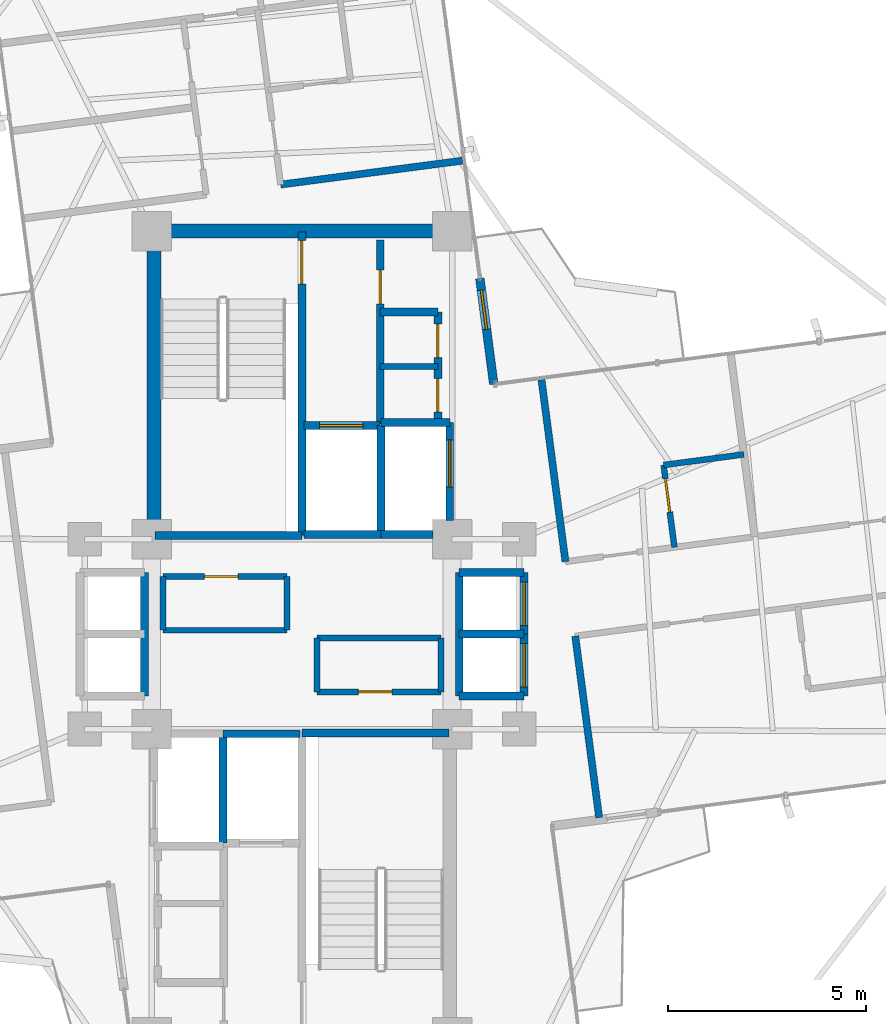
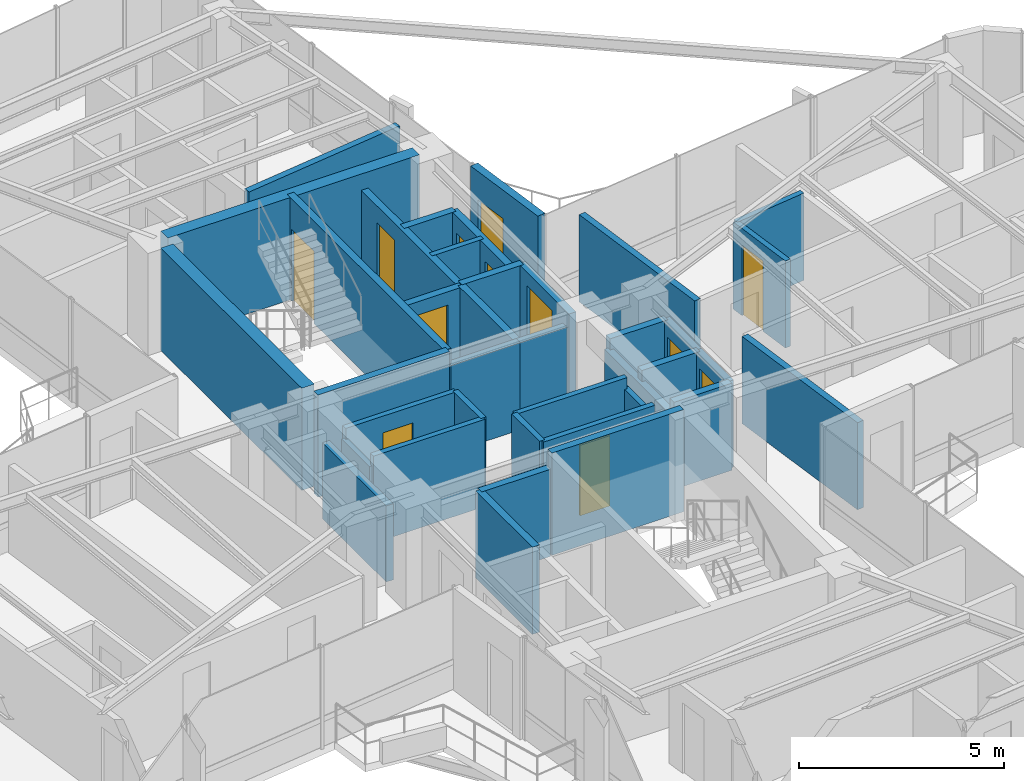
# One storey, part 20 of 23: 38 walls, 12 doors, 12 openings.
"""IFC4 building model written with IfcOpenShell, lengths in metres."""

from ifc_helpers import new_model, si_unit, direction, frame, frame_2d, origin, origin_2d, place, context, subcontext, project, spatial, rectangle, extrude, source, transform, mapped, material, layer, layer_set, type_object, element, fill, save


model = new_model("IFC4")

# Units and contexts
model_context = context("Model", 3, precision=1e-05, world=origin(), true_north=direction((0.0, 1.0)))
body_context = subcontext(model_context, "Body", "Model", "MODEL_VIEW")
ifc_project = project(units=[si_unit("LENGTHUNIT", "METRE"), si_unit("AREAUNIT", "SQUARE_METRE"), si_unit("VOLUMEUNIT", "CUBIC_METRE"), si_unit("PLANEANGLEUNIT", "RADIAN"), si_unit("MASSUNIT", "GRAM", prefix="KILO")], contexts=[model_context])

# Site, building, storey
site_placement = place(None, origin())
site = spatial("IfcSite", under=ifc_project, at=site_placement, CompositionType="ELEMENT")
building_placement = place(site_placement, origin())
building = spatial("IfcBuilding", under=site, at=building_placement, Name="Sahyath Konkavel Grand Hotel", CompositionType="ELEMENT")
storey_placement = place(building_placement, frame((0.0, 0.0, 226.60009765625)))
storey = spatial("IfcBuildingStorey", under=building, at=storey_placement, Name="L63", CompositionType="ELEMENT", Elevation=226.60009765625)

# Walls
ifc_material_1 = material(Name="Concrete C40/50", Category="concrete")
ifc_layer_1 = layer(ifc_material_1, 0.35009765625)
ifc_layer_set_1 = layer_set([ifc_layer_1], Name="Concrete C40/50")
wall_type_1 = type_object("IfcWallType", Name="CWALL-350", PredefinedType="SHEAR", material=ifc_layer_set_1)
wall_1_placement = place(storey_placement, frame((-3.550048828125, 10.199951171875, 0.0), z_axis=(0.0, 0.0, 1.0), x_axis=(1.0, 0.0, 0.0)))
element("IfcWall", 1, at=wall_1_placement, inside=storey, type_object=wall_type_1, Name="L63 North Core Shear Wall N", PredefinedType="SHEAR", context=body_context, shape_type="SweptSolid", body=[
    extrude(rectangle(XDim=7.10009765625, YDim=0.35009765625, at=frame_2d((3.550048828125, 0.0))), origin(), (0.0, 0.0, 1.0), 3.0498046875),
])
wall_2_placement = place(storey_placement, frame((-3.739990234375, 2.85009765625, 0.0), z_axis=(0.0, 0.0, 1.0), x_axis=(0.0, 1.0, 0.0)))
element("IfcWall", 2, at=wall_2_placement, inside=storey, type_object=wall_type_1, Name="L63 North Core Shear Wall W", PredefinedType="SHEAR", context=body_context, shape_type="SweptSolid", body=[
    extrude(rectangle(XDim=6.89990234375, YDim=0.35009765625, at=frame_2d((3.449951171875, 0.0))), origin(), (0.0, 0.0, 1.0), 3.0498046875),
])

# Wall, opening, door
ifc_material_2 = material(Name="Warm Buff Sandstone Insulated Concrete C40/50", Category="masonry")
ifc_layer_2 = layer(ifc_material_2, 0.219970703125)
ifc_layer_set_2 = layer_set([ifc_layer_2], Name="Warm Buff Sandstone Insulated Concrete C40/50")
wall_type_2 = type_object("IfcWallType", Name="WLL-BALC-THRESH", PredefinedType="STANDARD", material=ifc_layer_set_2)
wall_3_placement = place(storey_placement, frame((4.85400390625, 6.32568359375, 0.0), z_axis=(0.0, 0.0, 1.0), x_axis=(-0.130564442062, 0.991439824936, 0.0)))
wall_3 = element("IfcWall", 3, at=wall_3_placement, inside=storey, type_object=wall_type_2, Name="L63 Winter-Garden Threshold Wall 8", PredefinedType="STANDARD", context=body_context, shape_type="SweptSolid", body=[
    extrude(rectangle(XDim=2.7001953125, YDim=0.219970703125, at=frame_2d((1.35009765625, 0.0))), origin(), (0.0, 0.0, 1.0), 3.0498046875),
])
opening_1_placement = place(wall_3_placement, frame((1.39990234375, 0.0, 0.0)))
opening_1 = element("IfcOpeningElement", 4, at=opening_1_placement, cuts=wall_3, Name="Opening D-TR1", PredefinedType="OPENING", context=body_context, shape_type="SweptSolid", body=[
    extrude(rectangle(XDim=1.0, YDim=2.199951171875, at=frame_2d((0.5, 1.10009765625))), frame((0.0, 0.1201171875, 0.0), z_axis=(0.0, -1.0, 0.0), x_axis=(1.0, 0.0, 0.0)), (0.0, 0.0, 1.0), 0.239990234375),
])
ifc_material_3 = material(Name="Anodised Bronze Aluminium & Low-E Glazing", Category="aluminium")
door_type_1 = type_object("IfcDoorType", Name="DR-TERRACE-1000", OperationType="NOTDEFINED", PredefinedType="DOOR", material=ifc_material_3)
shared_shape_1 = source(origin(), body_context, "Body", "SweptSolid", [
    extrude(rectangle(XDim=1.0, YDim=0.050048828125, at=origin_2d()), origin(), (0.0, 0.0, 1.0), 2.199951171875),
])
door_1_placement = place(opening_1_placement, frame((0.5, 0.0, 0.0)))
door_1 = element("IfcDoor", 5, at=door_1_placement, inside=storey, type_object=door_type_1, Name="L63 Winter-Garden Terrace Door 8", OperationType="SINGLE_SWING_LEFT", OverallHeight=2.199951171875, OverallWidth=1.0, PredefinedType="DOOR", context=body_context, shape_type="MappedRepresentation", body=[
    mapped(shared_shape_1, transform((0.0, 0.0, 0.0), scale=1.0)),
])
fill(opening_1, door_1)

ifc_layer_3 = layer(ifc_material_1, 0.199951171875)
ifc_layer_set_3 = layer_set([ifc_layer_3], Name="Concrete C40/50")
wall_type_3 = type_object("IfcWallType", Name="WLL-CORE-200", PredefinedType="SOLIDWALL", material=ifc_layer_set_3)
wall_4_placement = place(storey_placement, frame((0.0, 2.5, 0.0), z_axis=(0.0, 0.0, 1.0), x_axis=(0.0, 1.0, 0.0)))
wall_4 = element("IfcWall", 6, at=wall_4_placement, inside=storey, type_object=wall_type_3, Name="L63 Stair ST-1 Shaft Wall E", PredefinedType="SOLIDWALL", context=body_context, shape_type="SweptSolid", body=[
    extrude(rectangle(XDim=7.679931640625, YDim=0.199951171875, at=frame_2d((3.83984375, 0.0))), origin(), (0.0, 0.0, 1.0), 3.0498046875),
])
opening_2_placement = place(wall_4_placement, frame((6.360107421875, 0.0, 0.0)))
opening_2 = element("IfcOpeningElement", 7, at=opening_2_placement, cuts=wall_4, Name="Opening D-F12B", PredefinedType="OPENING", context=body_context, shape_type="SweptSolid", body=[
    extrude(rectangle(XDim=1.10009765625, YDim=2.14990234375, at=frame_2d((0.550048828125, 1.074951171875))), frame((0.0, 0.10986328125, 0.0), z_axis=(0.0, -1.0, 0.0), x_axis=(1.0, 0.0, 0.0)), (0.0, 0.0, 1.0), 0.219970703125),
])
ifc_material_4 = material(Name="Steel E350 Smokeproof Fire Door", Category="steel")
door_type_2 = type_object("IfcDoorType", Name="DR-FD120-1100", OperationType="NOTDEFINED", PredefinedType="DOOR", material=ifc_material_4)
shared_shape_2 = source(origin(), body_context, "Body", "SweptSolid", [
    extrude(rectangle(XDim=1.10009765625, YDim=0.050048828125, at=origin_2d()), origin(), (0.0, 0.0, 1.0), 2.14990234375),
])
door_2_placement = place(opening_2_placement, frame((0.550048828125, 0.0, 0.0)))
door_2 = element("IfcDoor", 8, at=door_2_placement, inside=storey, type_object=door_type_2, Name="L63 Stair ST-1 Fire Door", OperationType="SINGLE_SWING_LEFT", OverallHeight=2.14990234375, OverallWidth=1.10009765625, PredefinedType="DOOR", context=body_context, shape_type="MappedRepresentation", body=[
    mapped(shared_shape_2, transform((0.0, 0.0, 0.0), scale=1.0)),
])
fill(opening_2, door_2)

# Walls
for number, where, z_axis, x_axis, name in (
    (9, (-3.719970703125, 2.5, 0.0), (0.0, 0.0, 1.0), (1.0, 0.0, 0.0), "L63 Stair ST-1 Shaft Wall S"),
    (10, (0.0, -2.5, 0.0), (0.0, 0.0, 1.0), (1.0, 0.0, 0.0), "L63 Stair ST-2 Shaft Wall N"),
):
    element("IfcWall", number, at=place(storey_placement, frame(where, z_axis=z_axis, x_axis=x_axis)), inside=storey, type_object=wall_type_3, Name=name, PredefinedType="SOLIDWALL", context=body_context, shape_type="SweptSolid", body=[
        extrude(rectangle(XDim=3.719970703125, YDim=0.199951171875, at=frame_2d((1.85986328125, 0.0))), origin(), (0.0, 0.0, 1.0), 3.0498046875),
    ])

# Wall, opening, door
wall_5_placement = place(storey_placement, frame((1.97998046875, 5.320068359375, 0.0), z_axis=(0.0, 0.0, 1.0), x_axis=(0.0, 1.0, 0.0)))
wall_5 = element("IfcWall", 11, at=wall_5_placement, inside=storey, type_object=wall_type_3, Name="L63 North Firefighting Lobby Wall E", PredefinedType="SOLIDWALL", context=body_context, shape_type="SweptSolid", body=[
    extrude(rectangle(XDim=4.659912109375, YDim=0.199951171875, at=frame_2d((2.330078125, 0.0))), origin(), (0.0, 0.0, 1.0), 2.599853515625),
])
opening_3_placement = place(wall_5_placement, frame((3.0400390625, 0.0, 0.0)))
opening_3 = element("IfcOpeningElement", 12, at=opening_3_placement, cuts=wall_5, Name="Opening D-F12D", PredefinedType="OPENING", context=body_context, shape_type="SweptSolid", body=[
    extrude(rectangle(XDim=0.85009765625, YDim=2.10009765625, at=frame_2d((0.425048828125, 1.050048828125))), frame((0.0, 0.10986328125, 0.0), z_axis=(0.0, -1.0, 0.0), x_axis=(1.0, 0.0, 0.0)), (0.0, 0.0, 1.0), 0.219970703125),
])
ifc_material_5 = material(Name="Steel E350 Core Fire Door", Category="steel")
door_type_3 = type_object("IfcDoorType", Name="DR-FD120-850", OperationType="NOTDEFINED", PredefinedType="DOOR", material=ifc_material_5)
shared_shape_3 = source(origin(), body_context, "Body", "SweptSolid", [
    extrude(rectangle(XDim=0.85009765625, YDim=0.050048828125, at=origin_2d()), origin(), (0.0, 0.0, 1.0), 2.10009765625),
])
door_3_placement = place(opening_3_placement, frame((0.425048828125, 0.0, 0.0)))
door_3 = element("IfcDoor", 13, at=door_3_placement, inside=storey, type_object=door_type_3, Name="L63 North Firefighting Lobby Door", OperationType="SINGLE_SWING_LEFT", OverallHeight=2.10009765625, OverallWidth=0.85009765625, PredefinedType="DOOR", context=body_context, shape_type="MappedRepresentation", body=[
    mapped(shared_shape_3, transform((0.0, 0.0, 0.0), scale=1.0)),
])
fill(opening_3, door_3)

# Walls
wall_6_placement = place(storey_placement, frame((2.0, 2.5, 0.0), z_axis=(0.0, 0.0, 1.0), x_axis=(0.0, 1.0, 0.0)))
element("IfcWall", 14, at=wall_6_placement, inside=storey, type_object=wall_type_3, Name="L63 Partition SH-FFL1-E", PredefinedType="SOLIDWALL", context=body_context, shape_type="SweptSolid", body=[
    extrude(rectangle(XDim=2.780029296875, YDim=0.199951171875, at=frame_2d((1.39013671875, 0.0))), origin(), (0.0, 0.0, 1.0), 2.599853515625),
])
wall_7_placement = place(storey_placement, frame((0.050048828125, 2.52001953125, 0.0), z_axis=(0.0, 0.0, 1.0), x_axis=(1.0, 0.0, 0.0)))
element("IfcWall", 15, at=wall_7_placement, inside=storey, type_object=wall_type_3, Name="L63 Partition SH-FFL1-S", PredefinedType="SOLIDWALL", context=body_context, shape_type="SweptSolid", body=[
    extrude(rectangle(XDim=1.949951171875, YDim=0.199951171875, at=frame_2d((0.97509765625, 0.0))), origin(), (0.0, 0.0, 1.0), 2.599853515625),
])

# Wall, opening, door
wall_8_placement = place(storey_placement, frame((0.050048828125, 5.280029296875, 0.0), z_axis=(0.0, 0.0, 1.0), x_axis=(1.0, 0.0, 0.0)))
wall_8 = element("IfcWall", 16, at=wall_8_placement, inside=storey, type_object=wall_type_3, Name="L63 Partition SH-FFL1-N", PredefinedType="SOLIDWALL", context=body_context, shape_type="SweptSolid", body=[
    extrude(rectangle(XDim=1.929931640625, YDim=0.199951171875, at=frame_2d((0.96484375, 0.0))), origin(), (0.0, 0.0, 1.0), 2.599853515625),
])
opening_4_placement = place(wall_8_placement, frame((0.39990234375, 0.0, 0.0)))
opening_4 = element("IfcOpeningElement", 17, at=opening_4_placement, cuts=wall_8, Name="Opening LD-11", PredefinedType="OPENING", context=body_context, shape_type="SweptSolid", body=[
    extrude(rectangle(XDim=1.10009765625, YDim=2.199951171875, at=frame_2d((0.550048828125, 1.10009765625))), frame((0.0, 0.10986328125, 0.0), z_axis=(0.0, -1.0, 0.0), x_axis=(1.0, 0.0, 0.0)), (0.0, 0.0, 1.0), 0.219970703125),
])
ifc_material_6 = material(Name="Bronze Lift Landing Door 1100")
door_type_4 = type_object("IfcDoorType", Name="DR-LIFT-1100", OperationType="DOUBLE_DOOR_SLIDING", PredefinedType="DOOR", material=ifc_material_6)
shared_shape_4 = source(origin(), body_context, "Body", "SweptSolid", [
    extrude(rectangle(XDim=1.10009765625, YDim=0.050048828125, at=origin_2d()), origin(), (0.0, 0.0, 1.0), 2.199951171875),
])
door_4_placement = place(opening_4_placement, frame((0.550048828125, 0.0, 0.0)))
door_4 = element("IfcDoor", 18, at=door_4_placement, inside=storey, type_object=door_type_4, Name="L63 Lift FFL-1 Landing Door", OperationType="DOUBLE_DOOR_SLIDING", OverallHeight=2.199951171875, OverallWidth=1.10009765625, PredefinedType="DOOR", context=body_context, shape_type="MappedRepresentation", body=[
    mapped(shared_shape_4, transform((0.0, 0.0, 0.0), scale=1.0)),
])
fill(opening_4, door_4)

# Walls
wall_9_placement = place(storey_placement, frame((-2.0, -5.280029296875, 0.0), z_axis=(0.0, 0.0, 1.0), x_axis=(0.0, 1.0, 0.0)))
element("IfcWall", 19, at=wall_9_placement, inside=storey, type_object=wall_type_3, Name="L63 Partition SH-FFL2-W", PredefinedType="SOLIDWALL", context=body_context, shape_type="SweptSolid", body=[
    extrude(rectangle(XDim=2.780029296875, YDim=0.199951171875, at=frame_2d((1.39013671875, 0.0))), origin(), (0.0, 0.0, 1.0), 2.599853515625),
])
wall_10_placement = place(storey_placement, frame((-2.0, -2.52001953125, 0.0), z_axis=(0.0, 0.0, 1.0), x_axis=(1.0, 0.0, 0.0)))
element("IfcWall", 20, at=wall_10_placement, inside=storey, type_object=wall_type_3, Name="L63 Partition SH-FFL2-N", PredefinedType="SOLIDWALL", context=body_context, shape_type="SweptSolid", body=[
    extrude(rectangle(XDim=1.949951171875, YDim=0.199951171875, at=frame_2d((0.97509765625, 0.0))), origin(), (0.0, 0.0, 1.0), 2.599853515625),
])
wall_11_placement = place(storey_placement, frame((2.0, 2.52001953125, 0.0), z_axis=(0.0, 0.0, 1.0), x_axis=(1.0, 0.0, 0.0)))
element("IfcWall", 21, at=wall_11_placement, inside=storey, type_object=wall_type_3, Name="L63 Partition SH-SVL1-S", PredefinedType="SOLIDWALL", context=body_context, shape_type="SweptSolid", body=[
    extrude(rectangle(XDim=1.320068359375, YDim=0.199951171875, at=frame_2d((0.66015625, 0.0))), origin(), (0.0, 0.0, 1.0), 2.599853515625),
])
wall_12_placement = place(storey_placement, frame((2.0, 5.360107421875, 0.0), z_axis=(0.0, 0.0, 1.0), x_axis=(1.0, 0.0, 0.0)))
element("IfcWall", 22, at=wall_12_placement, inside=storey, type_object=wall_type_3, Name="L63 Partition SH-SVL1-N", PredefinedType="SOLIDWALL", context=body_context, shape_type="SweptSolid", body=[
    extrude(rectangle(XDim=1.739990234375, YDim=0.199951171875, at=frame_2d((0.8701171875, 0.0))), origin(), (0.0, 0.0, 1.0), 2.599853515625),
])

# Wall, opening, door
wall_13_placement = place(storey_placement, frame((3.739990234375, 2.8798828125, 0.0), z_axis=(0.0, 0.0, 1.0), x_axis=(0.0, 1.0, 0.0)))
wall_13 = element("IfcWall", 23, at=wall_13_placement, inside=storey, type_object=wall_type_3, Name="L63 Partition SH-SVL1-E", PredefinedType="SOLIDWALL", context=body_context, shape_type="SweptSolid", body=[
    extrude(rectangle(XDim=2.480224609375, YDim=0.199951171875, at=frame_2d((1.240234375, 0.0))), origin(), (0.0, 0.0, 1.0), 2.599853515625),
])
opening_5_placement = place(wall_13_placement, frame((0.840087890625, 0.0, 0.0)))
opening_5 = element("IfcOpeningElement", 24, at=opening_5_placement, cuts=wall_13, Name="Opening LD-12", PredefinedType="OPENING", context=body_context, shape_type="SweptSolid", body=[
    extrude(rectangle(XDim=1.199951171875, YDim=2.199951171875, at=frame_2d((0.60009765625, 1.10009765625))), frame((0.0, 0.10986328125, 0.0), z_axis=(0.0, -1.0, 0.0), x_axis=(1.0, 0.0, 0.0)), (0.0, 0.0, 1.0), 0.219970703125),
])
ifc_material_7 = material(Name="Stainless Steel Lift Landing Door 1200", Category="steel")
door_type_5 = type_object("IfcDoorType", Name="DR-LIFT-1200", OperationType="DOUBLE_DOOR_SLIDING", PredefinedType="DOOR", material=ifc_material_7)
shared_shape_5 = source(origin(), body_context, "Body", "SweptSolid", [
    extrude(rectangle(XDim=1.199951171875, YDim=0.050048828125, at=origin_2d()), origin(), (0.0, 0.0, 1.0), 2.199951171875),
])
door_5_placement = place(opening_5_placement, frame((0.60009765625, 0.0, 0.0)))
door_5 = element("IfcDoor", 25, at=door_5_placement, inside=storey, type_object=door_type_5, Name="L63 Service Lift SVL-1 Landing Door", OperationType="DOUBLE_DOOR_SLIDING", OverallHeight=2.199951171875, OverallWidth=1.199951171875, PredefinedType="DOOR", context=body_context, shape_type="MappedRepresentation", body=[
    mapped(shared_shape_5, transform((0.0, 0.0, 0.0), scale=1.0)),
])
fill(opening_5, door_5)

# Walls
wall_14_placement = place(storey_placement, frame((3.97998046875, -1.56005859375, 0.0), z_axis=(0.0, 0.0, 1.0), x_axis=(0.0, 1.0, 0.0)))
element("IfcWall", 26, at=wall_14_placement, inside=storey, type_object=wall_type_3, Name="L63 Partition SH-PL56-W", PredefinedType="SOLIDWALL", context=body_context, shape_type="SweptSolid", body=[
    extrude(rectangle(XDim=3.1201171875, YDim=0.199951171875, at=frame_2d((1.56005859375, 0.0))), origin(), (0.0, 0.0, 1.0), 2.27001953125),
])
for number, where, z_axis, x_axis, name in (
    (27, (3.97998046875, 1.56005859375, 0.0), (0.0, 0.0, 1.0), (1.0, 0.0, 0.0), "L63 Partition SH-PL56-N"),
    (28, (3.97998046875, -1.56005859375, 0.0), (0.0, 0.0, 1.0), (1.0, 0.0, 0.0), "L63 Partition SH-PL56-S"),
    (29, (3.97998046875, 0.0, 0.0), (0.0, 0.0, 1.0), (1.0, 0.0, 0.0), "L63 Partition SH-PL56-M"),
):
    element("IfcWall", number, at=place(storey_placement, frame(where, z_axis=z_axis, x_axis=x_axis)), inside=storey, type_object=wall_type_3, Name=name, PredefinedType="SOLIDWALL", context=body_context, shape_type="SweptSolid", body=[
        extrude(rectangle(XDim=1.64013671875, YDim=0.199951171875, at=frame_2d((0.820068359375, 0.0))), origin(), (0.0, 0.0, 1.0), 2.599853515625),
    ])

# Wall, opening, door
wall_15_placement = place(storey_placement, frame((5.6201171875, 0.0, 0.0), z_axis=(0.0, 0.0, 1.0), x_axis=(0.0, 1.0, 0.0)))
wall_15 = element("IfcWall", 30, at=wall_15_placement, inside=storey, type_object=wall_type_3, Name="L63 Partition SH-PL5-E", PredefinedType="SOLIDWALL", context=body_context, shape_type="SweptSolid", body=[
    extrude(rectangle(XDim=1.56005859375, YDim=0.199951171875, at=frame_2d((0.780029296875, 0.0))), origin(), (0.0, 0.0, 1.0), 2.599853515625),
])
opening_6_placement = place(wall_15_placement, frame((0.219970703125, 0.0, 0.0)))
opening_6 = element("IfcOpeningElement", 31, at=opening_6_placement, cuts=wall_15, Name="Opening LD-11", PredefinedType="OPENING", context=body_context, shape_type="SweptSolid", body=[
    extrude(rectangle(XDim=1.10009765625, YDim=2.199951171875, at=frame_2d((0.550048828125, 1.10009765625))), frame((0.0, 0.10986328125, 0.0), z_axis=(0.0, -1.0, 0.0), x_axis=(1.0, 0.0, 0.0)), (0.0, 0.0, 1.0), 0.219970703125),
])
door_6_placement = place(opening_6_placement, frame((0.550048828125, 0.0, 0.0)))
door_6 = element("IfcDoor", 32, at=door_6_placement, inside=storey, type_object=door_type_4, Name="L63 High-Rise Lift PL-5 Landing Door", OperationType="DOUBLE_DOOR_SLIDING", OverallHeight=2.199951171875, OverallWidth=1.10009765625, PredefinedType="DOOR", context=body_context, shape_type="MappedRepresentation", body=[
    mapped(shared_shape_4, transform((0.0, 0.0, 0.0), scale=1.0)),
])
fill(opening_6, door_6)

wall_16_placement = place(storey_placement, frame((5.6201171875, -1.56005859375, 0.0), z_axis=(0.0, 0.0, 1.0), x_axis=(0.0, 1.0, 0.0)))
wall_16 = element("IfcWall", 33, at=wall_16_placement, inside=storey, type_object=wall_type_3, Name="L63 Partition SH-PL6-E", PredefinedType="SOLIDWALL", context=body_context, shape_type="SweptSolid", body=[
    extrude(rectangle(XDim=1.56005859375, YDim=0.199951171875, at=frame_2d((0.780029296875, 0.0))), origin(), (0.0, 0.0, 1.0), 2.599853515625),
])
opening_7_placement = place(wall_16_placement, frame((0.219970703125, 0.0, 0.0)))
opening_7 = element("IfcOpeningElement", 34, at=opening_7_placement, cuts=wall_16, Name="Opening LD-11", PredefinedType="OPENING", context=body_context, shape_type="SweptSolid", body=[
    extrude(rectangle(XDim=1.10009765625, YDim=2.199951171875, at=frame_2d((0.550048828125, 1.10009765625))), frame((0.0, 0.10986328125, 0.0), z_axis=(0.0, -1.0, 0.0), x_axis=(1.0, 0.0, 0.0)), (0.0, 0.0, 1.0), 0.219970703125),
])
door_7_placement = place(opening_7_placement, frame((0.550048828125, 0.0, 0.0)))
door_7 = element("IfcDoor", 35, at=door_7_placement, inside=storey, type_object=door_type_4, Name="L63 High-Rise Lift PL-6 Landing Door", OperationType="DOUBLE_DOOR_SLIDING", OverallHeight=2.199951171875, OverallWidth=1.10009765625, PredefinedType="DOOR", context=body_context, shape_type="MappedRepresentation", body=[
    mapped(shared_shape_4, transform((0.0, 0.0, 0.0), scale=1.0)),
])
fill(opening_7, door_7)

# Wall
wall_17_placement = place(storey_placement, frame((-3.97998046875, -1.56005859375, 0.0), z_axis=(0.0, 0.0, 1.0), x_axis=(0.0, 1.0, 0.0)))
element("IfcWall", 36, at=wall_17_placement, inside=storey, type_object=wall_type_3, Name="L63 Partition SH-SL12-E", PredefinedType="SOLIDWALL", context=body_context, shape_type="SweptSolid", body=[
    extrude(rectangle(XDim=3.1201171875, YDim=0.199951171875, at=frame_2d((1.56005859375, 0.0))), origin(), (0.0, 0.0, 1.0), 2.27001953125),
])

# Wall, openings, doors
wall_18_placement = place(storey_placement, frame((3.43994140625, 5.3798828125, 0.0), z_axis=(0.0, 0.0, 1.0), x_axis=(0.0, 1.0, 0.0)))
wall_18 = element("IfcWall", 37, at=wall_18_placement, inside=storey, type_object=wall_type_3, Name="L63 Reclaimed North Core Wall E", PredefinedType="SOLIDWALL", context=body_context, shape_type="SweptSolid", body=[
    extrude(rectangle(XDim=2.77001953125, YDim=0.199951171875, at=frame_2d((1.385009765625, 0.0))), origin(), (0.0, 0.0, 1.0), 2.599853515625),
])
opening_8_placement = place(wall_18_placement, frame((0.239990234375, 0.0, 0.0)))
opening_8 = element("IfcOpeningElement", 38, at=opening_8_placement, cuts=wall_18, Name="Opening D-F06D", PredefinedType="OPENING", context=body_context, shape_type="SweptSolid", body=[
    extrude(rectangle(XDim=0.85009765625, YDim=2.10009765625, at=frame_2d((0.425048828125, 1.050048828125))), frame((0.0, 0.10986328125, 0.0), z_axis=(0.0, -1.0, 0.0), x_axis=(1.0, 0.0, 0.0)), (0.0, 0.0, 1.0), 0.219970703125),
])
opening_9_placement = place(wall_18_placement, frame((1.6201171875, 0.0, 0.0)))
opening_9 = element("IfcOpeningElement", 39, at=opening_9_placement, cuts=wall_18, Name="Opening D-F06D", PredefinedType="OPENING", context=body_context, shape_type="SweptSolid", body=[
    extrude(rectangle(XDim=0.85009765625, YDim=2.10009765625, at=frame_2d((0.425048828125, 1.050048828125))), frame((0.0, 0.10986328125, 0.0), z_axis=(0.0, -1.0, 0.0), x_axis=(1.0, 0.0, 0.0)), (0.0, 0.0, 1.0), 0.219970703125),
])
ifc_material_8 = material(Name="Fire-Rated Shaft Access Door")
door_type_6 = type_object("IfcDoorType", Name="DR-FD60-850", OperationType="NOTDEFINED", PredefinedType="DOOR", material=ifc_material_8)
door_8_placement = place(opening_8_placement, frame((0.425048828125, 0.0, 0.0)))
door_8 = element("IfcDoor", 40, at=door_8_placement, inside=storey, type_object=door_type_6, Name="L63 Door NC-REC1-D", OperationType="SINGLE_SWING_LEFT", OverallHeight=2.10009765625, OverallWidth=0.85009765625, PredefinedType="DOOR", context=body_context, shape_type="MappedRepresentation", body=[
    mapped(shared_shape_3, transform((0.0, 0.0, 0.0), scale=1.0)),
])
fill(opening_8, door_8)
door_9_placement = place(opening_9_placement, frame((0.425048828125, 0.0, 0.0)))
door_9 = element("IfcDoor", 41, at=door_9_placement, inside=storey, type_object=door_type_6, Name="L63 Door NC-REC2-D", OperationType="SINGLE_SWING_RIGHT", OverallHeight=2.10009765625, OverallWidth=0.85009765625, PredefinedType="DOOR", context=body_context, shape_type="MappedRepresentation", body=[
    mapped(shared_shape_3, transform((0.0, 0.0, 0.0), scale=1.0)),
])
fill(opening_9, door_9)

# Walls
wall_19_placement = place(storey_placement, frame((1.97998046875, 8.14990234375, 0.0), z_axis=(0.0, 0.0, 1.0), x_axis=(1.0, 0.0, 0.0)))
element("IfcWall", 42, at=wall_19_placement, inside=storey, type_object=wall_type_3, Name="L63 Partition NC-REC-N", PredefinedType="SOLIDWALL", context=body_context, shape_type="SweptSolid", body=[
    extrude(rectangle(XDim=1.4599609375, YDim=0.199951171875, at=frame_2d((0.72998046875, 0.0))), origin(), (0.0, 0.0, 1.0), 2.599853515625),
])
ifc_material_9 = material(Name="Twin-Stud Acoustic Gypsum Plasterboard Partition")
ifc_layer_4 = layer(ifc_material_9, 0.179931640625)
ifc_layer_set_4 = layer_set([ifc_layer_4], Name="Twin-Stud Acoustic Gypsum Plasterboard Partition")
wall_type_4 = type_object("IfcWallType", Name="WLL-DEMISE-180", PredefinedType="PARTITIONING", material=ifc_layer_set_4)
wall_20_placement = place(storey_placement, frame((6.66748046875, 1.8359375, 0.0), z_axis=(0.0, 0.0, 1.0), x_axis=(-0.130543018951, 0.991442645947, 0.0)))
element("IfcWall", 43, at=wall_20_placement, inside=storey, type_object=wall_type_4, Name="L63 Partition E-INL", PredefinedType="PARTITIONING", context=body_context, shape_type="SweptSolid", body=[
    extrude(rectangle(XDim=4.63818359375, YDim=0.179931640625, at=frame_2d((2.319091796875, 0.0))), origin(), (0.0, 0.0, 1.0), 2.599853515625),
])
for number, where, z_axis, x_axis, name in (
    (44, (7.520751953125, -4.64599609375, 0.0), (0.0, 0.0, 1.0), (-0.130549832066, 0.991441748842, 0.0), "L63 Partition E-INR"),
    (45, (4.05859375, 11.982421875, 0.0), (0.0, 0.0, 1.0), (-0.991441748842, -0.130549832066, 0.0), "L63 Partition N-INR"),
):
    element("IfcWall", number, at=place(storey_placement, frame(where, z_axis=z_axis, x_axis=x_axis)), inside=storey, type_object=wall_type_4, Name=name, PredefinedType="PARTITIONING", context=body_context, shape_type="SweptSolid", body=[
        extrude(rectangle(XDim=4.637939453125, YDim=0.179931640625, at=frame_2d((2.31884765625, 0.0))), origin(), (0.0, 0.0, 1.0), 2.599853515625),
    ])
ifc_material_10 = material(Name="Fire-Rated Gypsum Plasterboard Partition")
ifc_layer_5 = layer(ifc_material_10, 0.14990234375)
ifc_layer_set_5 = layer_set([ifc_layer_5], Name="Fire-Rated Gypsum Plasterboard Partition")
wall_type_5 = type_object("IfcWallType", Name="WLL-PART-150", PredefinedType="PARTITIONING", material=ifc_layer_set_5)
wall_21_placement = place(storey_placement, frame((1.97998046875, 6.77001953125, 0.0), z_axis=(0.0, 0.0, 1.0), x_axis=(1.0, 0.0, 0.0)))
element("IfcWall", 46, at=wall_21_placement, inside=storey, type_object=wall_type_5, Name="L63 Partition NC-REC-M1", PredefinedType="PARTITIONING", context=body_context, shape_type="SweptSolid", body=[
    extrude(rectangle(XDim=1.4599609375, YDim=0.14990234375, at=frame_2d((0.72998046875, 0.0))), origin(), (0.0, 0.0, 1.0), 2.599853515625),
])
wall_22_placement = place(storey_placement, frame((-3.52001953125, 0.10009765625, 0.0), z_axis=(0.0, 0.0, 1.0), x_axis=(1.0, 0.0, 0.0)))
element("IfcWall", 47, at=wall_22_placement, inside=storey, type_object=wall_type_5, Name="L63 Partition CC-3NWS", PredefinedType="PARTITIONING", context=body_context, shape_type="SweptSolid", body=[
    extrude(rectangle(XDim=3.14013671875, YDim=0.14990234375, at=frame_2d((1.570068359375, 0.0))), origin(), (0.0, 0.0, 1.0), 2.599853515625),
])

# Wall, opening, door
wall_23_placement = place(storey_placement, frame((-3.52001953125, 1.4599609375, 0.0), z_axis=(0.0, 0.0, 1.0), x_axis=(1.0, 0.0, 0.0)))
wall_23 = element("IfcWall", 48, at=wall_23_placement, inside=storey, type_object=wall_type_5, Name="L63 Partition CC-3NWN", PredefinedType="PARTITIONING", context=body_context, shape_type="SweptSolid", body=[
    extrude(rectangle(XDim=3.14013671875, YDim=0.14990234375, at=frame_2d((1.570068359375, 0.0))), origin(), (0.0, 0.0, 1.0), 2.599853515625),
])
opening_10_placement = place(wall_23_placement, frame((1.050048828125, 0.0, 0.0)))
opening_10 = element("IfcOpeningElement", 49, at=opening_10_placement, cuts=wall_23, Name="Opening D-F06D", PredefinedType="OPENING", context=body_context, shape_type="SweptSolid", body=[
    extrude(rectangle(XDim=0.85009765625, YDim=2.10009765625, at=frame_2d((0.425048828125, 1.050048828125))), frame((0.0, 0.0849609375, 0.0), z_axis=(0.0, -1.0, 0.0), x_axis=(1.0, 0.0, 0.0)), (0.0, 0.0, 1.0), 0.169921875),
])
door_10_placement = place(opening_10_placement, frame((0.425048828125, 0.0, 0.0)))
door_10 = element("IfcDoor", 50, at=door_10_placement, inside=storey, type_object=door_type_6, Name="L63 Door CC-D3NW", OperationType="SINGLE_SWING_LEFT", OverallHeight=2.10009765625, OverallWidth=0.85009765625, PredefinedType="DOOR", context=body_context, shape_type="MappedRepresentation", body=[
    mapped(shared_shape_3, transform((0.0, 0.0, 0.0), scale=1.0)),
])
fill(opening_10, door_10)

# Walls
wall_24_placement = place(storey_placement, frame((-3.52001953125, 0.10009765625, 0.0), z_axis=(0.0, 0.0, 1.0), x_axis=(0.0, 1.0, 0.0)))
element("IfcWall", 51, at=wall_24_placement, inside=storey, type_object=wall_type_5, Name="L63 Partition CC-3NWW", PredefinedType="PARTITIONING", context=body_context, shape_type="SweptSolid", body=[
    extrude(rectangle(XDim=1.35986328125, YDim=0.14990234375, at=frame_2d((0.679931640625, 0.0))), origin(), (0.0, 0.0, 1.0), 2.27001953125),
])
wall_25_placement = place(storey_placement, frame((-0.3798828125, 0.10009765625, 0.0), z_axis=(0.0, 0.0, 1.0), x_axis=(0.0, 1.0, 0.0)))
element("IfcWall", 52, at=wall_25_placement, inside=storey, type_object=wall_type_5, Name="L63 Partition CC-3NWE", PredefinedType="PARTITIONING", context=body_context, shape_type="SweptSolid", body=[
    extrude(rectangle(XDim=1.35986328125, YDim=0.14990234375, at=frame_2d((0.679931640625, 0.0))), origin(), (0.0, 0.0, 1.0), 2.599853515625),
])
wall_26_placement = place(storey_placement, frame((0.3798828125, -0.10009765625, 0.0), z_axis=(0.0, 0.0, 1.0), x_axis=(1.0, 0.0, 0.0)))
element("IfcWall", 53, at=wall_26_placement, inside=storey, type_object=wall_type_5, Name="L63 Partition CC-3SEN", PredefinedType="PARTITIONING", context=body_context, shape_type="SweptSolid", body=[
    extrude(rectangle(XDim=3.14013671875, YDim=0.14990234375, at=frame_2d((1.570068359375, 0.0))), origin(), (0.0, 0.0, 1.0), 2.599853515625),
])

# Wall, opening, door
wall_27_placement = place(storey_placement, frame((0.3798828125, -1.4599609375, 0.0), z_axis=(0.0, 0.0, 1.0), x_axis=(1.0, 0.0, 0.0)))
wall_27 = element("IfcWall", 54, at=wall_27_placement, inside=storey, type_object=wall_type_5, Name="L63 Partition CC-3SES", PredefinedType="PARTITIONING", context=body_context, shape_type="SweptSolid", body=[
    extrude(rectangle(XDim=3.14013671875, YDim=0.14990234375, at=frame_2d((1.570068359375, 0.0))), origin(), (0.0, 0.0, 1.0), 2.599853515625),
])
opening_11_placement = place(wall_27_placement, frame((1.050048828125, 0.0, 0.0)))
opening_11 = element("IfcOpeningElement", 55, at=opening_11_placement, cuts=wall_27, Name="Opening D-F06D", PredefinedType="OPENING", context=body_context, shape_type="SweptSolid", body=[
    extrude(rectangle(XDim=0.85009765625, YDim=2.10009765625, at=frame_2d((0.425048828125, 1.050048828125))), frame((0.0, 0.0849609375, 0.0), z_axis=(0.0, -1.0, 0.0), x_axis=(1.0, 0.0, 0.0)), (0.0, 0.0, 1.0), 0.169921875),
])
door_11_placement = place(opening_11_placement, frame((0.425048828125, 0.0, 0.0)))
door_11 = element("IfcDoor", 56, at=door_11_placement, inside=storey, type_object=door_type_6, Name="L63 Door CC-D3SE", OperationType="SINGLE_SWING_RIGHT", OverallHeight=2.10009765625, OverallWidth=0.85009765625, PredefinedType="DOOR", context=body_context, shape_type="MappedRepresentation", body=[
    mapped(shared_shape_3, transform((0.0, 0.0, 0.0), scale=1.0)),
])
fill(opening_11, door_11)

# Walls
wall_28_placement = place(storey_placement, frame((0.3798828125, -1.4599609375, 0.0), z_axis=(0.0, 0.0, 1.0), x_axis=(0.0, 1.0, 0.0)))
element("IfcWall", 57, at=wall_28_placement, inside=storey, type_object=wall_type_5, Name="L63 Partition CC-3SEW", PredefinedType="PARTITIONING", context=body_context, shape_type="SweptSolid", body=[
    extrude(rectangle(XDim=1.35986328125, YDim=0.14990234375, at=frame_2d((0.679931640625, 0.0))), origin(), (0.0, 0.0, 1.0), 2.599853515625),
])
wall_29_placement = place(storey_placement, frame((3.52001953125, -1.4599609375, 0.0), z_axis=(0.0, 0.0, 1.0), x_axis=(0.0, 1.0, 0.0)))
element("IfcWall", 58, at=wall_29_placement, inside=storey, type_object=wall_type_5, Name="L63 Partition CC-3SEE", PredefinedType="PARTITIONING", context=body_context, shape_type="SweptSolid", body=[
    extrude(rectangle(XDim=1.35986328125, YDim=0.14990234375, at=frame_2d((0.679931640625, 0.0))), origin(), (0.0, 0.0, 1.0), 2.27001953125),
])

# Wall, opening, door
wall_30_placement = place(storey_placement, frame((9.425537109375, 2.19921875, 0.0), z_axis=(0.0, 0.0, 1.0), x_axis=(-0.130457520295, 0.991453899785, 0.0)))
wall_30 = element("IfcWall", 59, at=wall_30_placement, inside=storey, type_object=wall_type_5, Name="L63 Partition E-E1L-BS", PredefinedType="PARTITIONING", context=body_context, shape_type="SweptSolid", body=[
    extrude(rectangle(XDim=2.099853515625, YDim=0.14990234375, at=frame_2d((1.0498046875, 0.0))), origin(), (0.0, 0.0, 1.0), 2.599853515625),
])
opening_12_placement = place(wall_30_placement, frame((0.89990234375, 0.0, 0.0)))
opening_12 = element("IfcOpeningElement", 60, at=opening_12_placement, cuts=wall_30, Name="Opening D-BT85", PredefinedType="OPENING", context=body_context, shape_type="SweptSolid", body=[
    extrude(rectangle(XDim=0.85009765625, YDim=2.10009765625, at=frame_2d((0.425048828125, 1.050048828125))), frame((0.0, 0.0849609375, 0.0), z_axis=(0.0, -1.0, 0.0), x_axis=(1.0, 0.0, 0.0)), (0.0, 0.0, 1.0), 0.169921875),
])
ifc_material_11 = material(Name="Moisture-Resistant Teak Bathroom Door")
door_type_7 = type_object("IfcDoorType", Name="DR-BATH-850", OperationType="NOTDEFINED", PredefinedType="DOOR", material=ifc_material_11)
door_12_placement = place(opening_12_placement, frame((0.425048828125, 0.0, 0.0)))
door_12 = element("IfcDoor", 61, at=door_12_placement, inside=storey, type_object=door_type_7, Name="L63 Door E-E1L-BD", OperationType="SINGLE_SWING_LEFT", OverallHeight=2.10009765625, OverallWidth=0.85009765625, PredefinedType="DOOR", context=body_context, shape_type="MappedRepresentation", body=[
    mapped(shared_shape_3, transform((0.0, 0.0, 0.0), scale=1.0)),
])
fill(opening_12, door_12)

# Wall
wall_31_placement = place(storey_placement, frame((9.151611328125, 4.281005859375, 0.0), z_axis=(0.0, 0.0, 1.0), x_axis=(0.991444969909, 0.13052536781, 0.0)))
element("IfcWall", 62, at=wall_31_placement, inside=storey, type_object=wall_type_5, Name="L63 Partition E-E1L-BF", PredefinedType="PARTITIONING", context=body_context, shape_type="SweptSolid", body=[
    extrude(rectangle(XDim=2.050048828125, YDim=0.14990234375, at=frame_2d((1.02490234375, 0.0))), origin(), (0.0, 0.0, 1.0), 2.599853515625),
])

save(model, "model.ifc")
